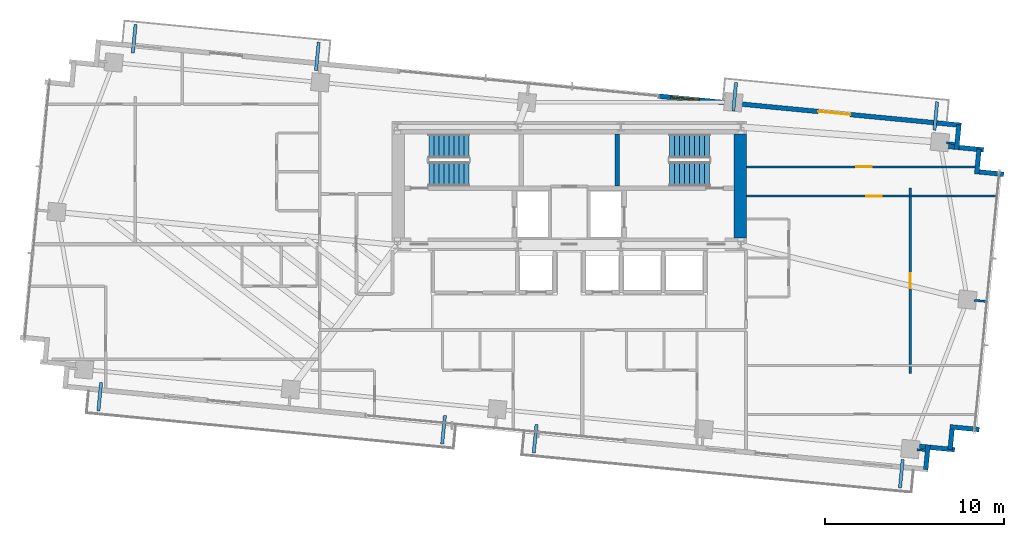
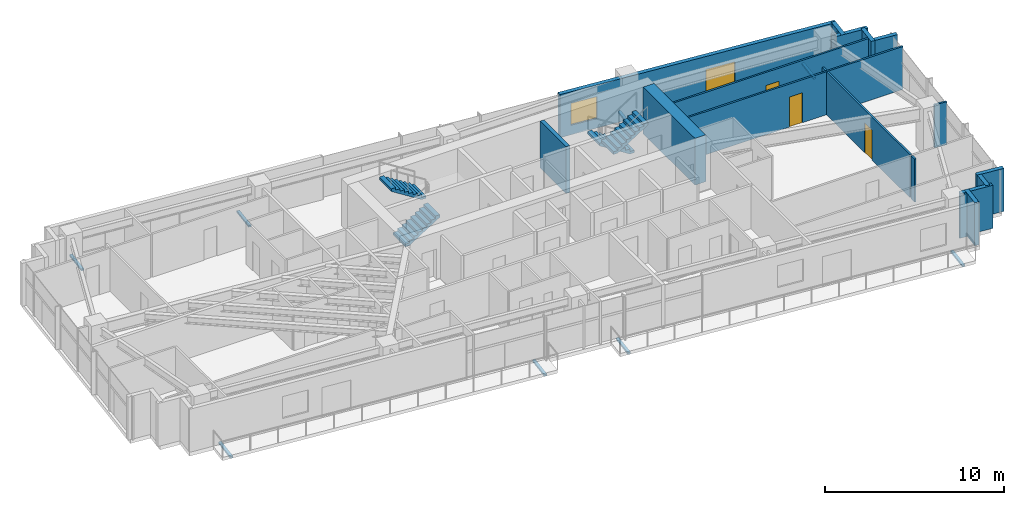
# One storey, part 18 of 20: 19 walls, 8 discrete accessories, 4 doors, 4 stair flights, 1 window, 5 openings, 2 elements without a shape of their own.
"""IFC4 building model written with IfcOpenShell, lengths in metres."""

from ifc_helpers import new_model, si_unit, direction, frame, frame_2d, origin, origin_2d, place, context, subcontext, project, spatial, polyline, rectangle, outline, extrude, source, transform, mapped, material, layer, layer_set, type_object, type_shapes, element, fill, aggregate, save


model = new_model("IFC4")

# Units and contexts
model_context = context("Model", 3, precision=1e-05, world=origin(), true_north=direction((0.0, 1.0)))
body_context = subcontext(model_context, "Body", "Model", "MODEL_VIEW")
ifc_project = project(units=[si_unit("LENGTHUNIT", "METRE"), si_unit("AREAUNIT", "SQUARE_METRE"), si_unit("VOLUMEUNIT", "CUBIC_METRE"), si_unit("PLANEANGLEUNIT", "RADIAN"), si_unit("MASSUNIT", "GRAM", prefix="KILO")], contexts=[model_context])

# Site, building, storey
site_placement = place(None, origin())
site = spatial("IfcSite", under=ifc_project, at=site_placement, CompositionType="ELEMENT")
building_placement = place(site_placement, origin())
building = spatial("IfcBuilding", under=site, at=building_placement, Name="Astriad Promenade Condominiums", CompositionType="ELEMENT")
storey_placement = place(building_placement, frame((0.0, 0.0, 134.199951171875)))
storey = spatial("IfcBuildingStorey", under=building, at=storey_placement, Name="L38", CompositionType="ELEMENT", Elevation=134.199951171875)

# Walls
ifc_material_1 = material(Name="Concrete C60/75", Category="concrete")
ifc_layer_1 = layer(ifc_material_1, 0.699951171875)
ifc_layer_set_1 = layer_set([ifc_layer_1], Name="Concrete C60/75")
wall_type_1 = type_object("IfcWallType", Name="CW-SHEAR-700", PredefinedType="SHEAR", material=ifc_layer_set_1)
wall_1_placement = place(storey_placement, frame((45.550048828125, 17.802001953125, 0.0), z_axis=(0.0, 0.0, 1.0), x_axis=(0.0, 1.0, 0.0)))
element("IfcWall", 1, at=wall_1_placement, inside=storey, type_object=wall_type_1, Name="CW-CORE-E-L38", PredefinedType="SHEAR", context=body_context, shape_type="SweptSolid", body=[
    extrude(rectangle(XDim=5.7958984375, YDim=0.699951171875, at=frame_2d((2.89794921875, 0.0))), origin(), (0.0, 0.0, 1.0), 3.199951171875),
])
ifc_material_2 = material(Name="Concrete C50/60", Category="concrete")
ifc_layer_2 = layer(ifc_material_2, 0.25)
ifc_layer_set_2 = layer_set([ifc_layer_2], Name="Concrete C50/60")
wall_type_2 = type_object("IfcWallType", Name="WALL-CORE-INT-250", PredefinedType="SOLIDWALL", material=ifc_layer_set_2)
wall_2_placement = place(storey_placement, frame((38.675048828125, 20.701904296875, 0.0), z_axis=(0.0, 0.0, 1.0), x_axis=(0.0, 1.0, 0.0)))
element("IfcWall", 2, at=wall_2_placement, inside=storey, type_object=wall_type_2, Name="CW-ST2-W-L38", PredefinedType="SOLIDWALL", context=body_context, shape_type="SweptSolid", body=[
    extrude(rectangle(XDim=2.89599609375, YDim=0.25, at=frame_2d((1.447998046875, 0.0))), origin(), (0.0, 0.0, 1.0), 3.199951171875),
])

# Wall, openings, door, window
ifc_material_3 = material(Name="Precast concrete C50/60", Category="concrete")
ifc_layer_3 = layer(ifc_material_3, 0.260009765625)
ifc_layer_set_3 = layer_set([ifc_layer_3], Name="Precast concrete C50/60")
wall_type_3 = type_object("IfcWallType", Name="WALL-EXT-TWR-260", PredefinedType="STANDARD", material=ifc_layer_set_3)
wall_3_placement = place(storey_placement, frame((40.9833984375, 25.726806640625, 0.0), z_axis=(0.0, 0.0, 1.0), x_axis=(0.995395844771, -0.095849424686, 0.0)))
wall_3 = element("IfcWall", 3, at=wall_3_placement, inside=storey, type_object=wall_type_3, Name="W-EXT-L38-N2", PredefinedType="STANDARD", context=body_context, shape_type="SweptSolid", body=[
    extrude(rectangle(XDim=17.009765625, YDim=0.260009765625, at=frame_2d((8.5048828125, 0.0))), origin(), (0.0, 0.0, 1.0), 2.93994140625),
])
opening_1_placement = place(wall_3_placement, frame((8.97998046875, 0.0, 0.0)))
opening_1 = element("IfcOpeningElement", 4, at=opening_1_placement, cuts=wall_3, Name="Opening BD-1822-SLD", PredefinedType="OPENING", context=body_context, shape_type="SweptSolid", body=[
    extrude(rectangle(XDim=1.800048828125, YDim=2.06005859375, at=frame_2d((0.89990234375, 1.030029296875))), frame((0.0, 0.139892578125, 0.0), z_axis=(0.0, -1.0, 0.0), x_axis=(1.0, 0.0, 0.0)), (0.0, 0.0, 1.0), 0.280029296875),
])
opening_2_placement = place(wall_3_placement, frame((0.699951171875, 0.0, 0.64990234375)))
opening_2 = element("IfcOpeningElement", 5, at=opening_2_placement, cuts=wall_3, Name="Opening WIN-TWR-1620", PredefinedType="OPENING", context=body_context, shape_type="SweptSolid", body=[
    extrude(rectangle(XDim=1.60009765625, YDim=1.5, at=frame_2d((0.800048828125, 0.75))), frame((0.0, 0.139892578125, 0.0), z_axis=(0.0, -1.0, 0.0), x_axis=(1.0, 0.0, 0.0)), (0.0, 0.0, 1.0), 0.280029296875),
])
ifc_material_4 = material(Name="Thermally Broken Aluminium Sliding Balcony Door", Category="aluminium")
door_type_1 = type_object("IfcDoorType", Name="BD-1822-SLD", OperationType="NOTDEFINED", PredefinedType="DOOR", material=ifc_material_4)
shared_shape_1 = source(origin(), body_context, "Body", "SweptSolid", [
    extrude(rectangle(XDim=1.800048828125, YDim=2.06005859375, at=frame_2d((0.89990234375, 1.030029296875))), frame((0.0, 0.02490234375, 0.0), z_axis=(0.0, -1.0, 0.0), x_axis=(1.0, 0.0, 0.0)), (0.0, 0.0, 1.0), 0.050048828125),
])
type_shapes(door_type_1, [shared_shape_1])
door_1_placement = place(opening_1_placement, origin())
door_1 = element("IfcDoor", 6, at=door_1_placement, inside=storey, type_object=door_type_1, Name="BD-L38-NE", OperationType="SLIDING_TO_RIGHT", OverallHeight=2.06005859375, OverallWidth=1.800048828125, PredefinedType="DOOR", context=body_context, shape_type="MappedRepresentation", body=[
    mapped(shared_shape_1, transform((0.0, 0.0, 0.0), scale=1.0)),
])
fill(opening_1, door_1)
ifc_material_5 = material(Name="Dark Tinted Triple-Glazed Aluminium Window", Category="aluminium")
window_type = type_object("IfcWindowType", Name="WIN-TWR-1620", PartitioningType="SINGLE_PANEL", PredefinedType="WINDOW", material=ifc_material_5)
shared_shape_2 = source(origin(), body_context, "Body", "SweptSolid", [
    extrude(rectangle(XDim=1.60009765625, YDim=1.5, at=frame_2d((0.800048828125, 0.75))), frame((0.0, 0.030029296875, 0.0), z_axis=(0.0, -1.0, 0.0), x_axis=(1.0, 0.0, 0.0)), (0.0, 0.0, 1.0), 0.06005859375),
])
type_shapes(window_type, [shared_shape_2])
window_placement = place(opening_2_placement, origin())
window = element("IfcWindow", 7, at=window_placement, inside=storey, type_object=window_type, Name="WIN-L38-NE", OverallHeight=1.5, OverallWidth=1.60009765625, PartitioningType="SINGLE_PANEL", PredefinedType="WINDOW", context=body_context, shape_type="MappedRepresentation", body=[
    mapped(shared_shape_2, transform((0.0, 0.0, 0.0), scale=1.0)),
])
fill(opening_2, window)

# Walls
wall_4_placement = place(storey_placement, frame((57.787109375, 24.123779296875, 0.0), z_axis=(0.0, 0.0, 1.0), x_axis=(-0.095915846097, -0.995389446633, 0.0)))
element("IfcWall", 8, at=wall_4_placement, inside=storey, type_object=wall_type_3, Name="W-SER-L38-09", PredefinedType="STANDARD", context=body_context, shape_type="SweptSolid", body=[
    extrude(rectangle(XDim=1.394775390625, YDim=0.260009765625, at=frame_2d((0.697265625, 0.0))), origin(), (0.0, 0.0, 1.0), 2.93994140625),
])
wall_5_placement = place(storey_placement, frame((57.199951171875, 22.909423828125, 0.0), z_axis=(0.0, 0.0, 1.0), x_axis=(0.995401789159, -0.095787672171, 0.0)))
element("IfcWall", 9, at=wall_5_placement, inside=storey, type_object=wall_type_3, Name="W-SER-L38-10", PredefinedType="STANDARD", context=body_context, shape_type="SweptSolid", body=[
    extrude(rectangle(XDim=1.977783203125, YDim=0.260009765625, at=frame_2d((0.98876953125, 0.0))), origin(), (0.0, 0.0, 1.0), 2.93994140625),
])
for number, where, z_axis, x_axis, name in (
    (10, (58.91162109375, 22.759765625, 0.0), (0.0, 0.0, 1.0), (-0.096072523012, -0.995374336781, 0.0), "W-SER-L38-11"),
    (11, (58.904541015625, 21.489501953125, 0.0), (0.0, 0.0, 1.0), (0.995391056452, -0.09589913835, 0.0), "W-SER-L38-12"),
):
    element("IfcWall", number, at=place(storey_placement, frame(where, z_axis=z_axis, x_axis=x_axis)), inside=storey, type_object=wall_type_3, Name=name, PredefinedType="STANDARD", context=body_context, shape_type="SweptSolid", body=[
        extrude(rectangle(XDim=1.39501953125, YDim=0.260009765625, at=frame_2d((0.697509765625, 0.0))), origin(), (0.0, 0.0, 1.0), 2.93994140625),
    ])
wall_6_placement = place(storey_placement, frame((58.918701171875, 7.081787109375, 0.0), z_axis=(0.0, 0.0, 1.0), x_axis=(-0.995393194909, 0.095876939504, 0.0)))
element("IfcWall", 12, at=wall_6_placement, inside=storey, type_object=wall_type_3, Name="W-SER-L38-14", PredefinedType="STANDARD", context=body_context, shape_type="SweptSolid", body=[
    extrude(rectangle(XDim=1.639892578125, YDim=0.260009765625, at=frame_2d((0.81982421875, 0.0))), origin(), (0.0, 0.0, 1.0), 2.93994140625),
])
wall_7_placement = place(storey_placement, frame((57.40478515625, 7.112060546875, 0.0), z_axis=(0.0, 0.0, 1.0), x_axis=(-0.095971333708, -0.995384098279, 0.0)))
element("IfcWall", 13, at=wall_7_placement, inside=storey, type_object=wall_type_3, Name="W-SER-L38-15", PredefinedType="STANDARD", context=body_context, shape_type="SweptSolid", body=[
    extrude(rectangle(XDim=1.14990234375, YDim=0.260009765625, at=frame_2d((0.574951171875, 0.0))), origin(), (0.0, 0.0, 1.0), 2.93994140625),
])
wall_8_placement = place(storey_placement, frame((57.5546875, 5.95751953125, 0.0), z_axis=(0.0, 0.0, 1.0), x_axis=(-0.995401789159, 0.095787672171, 0.0)))
element("IfcWall", 14, at=wall_8_placement, inside=storey, type_object=wall_type_3, Name="W-SER-L38-16", PredefinedType="STANDARD", context=body_context, shape_type="SweptSolid", body=[
    extrude(rectangle(XDim=1.977783203125, YDim=0.260009765625, at=frame_2d((0.98876953125, 0.0))), origin(), (0.0, 0.0, 1.0), 2.93994140625),
])
wall_9_placement = place(storey_placement, frame((56.064208984375, 6.231689453125, 0.0), z_axis=(0.0, 0.0, 1.0), x_axis=(-0.09589913835, -0.995391056452, 0.0)))
element("IfcWall", 15, at=wall_9_placement, inside=storey, type_object=wall_type_3, Name="W-SER-L38-17", PredefinedType="STANDARD", context=body_context, shape_type="SweptSolid", body=[
    extrude(rectangle(XDim=1.39501953125, YDim=0.260009765625, at=frame_2d((0.697509765625, 0.0))), origin(), (0.0, 0.0, 1.0), 2.93994140625),
])

# Wall, opening, door
ifc_material_6 = material(Name="Acoustic Metal-Stud Gypsum Partition")
ifc_layer_4 = layer(ifc_material_6, 0.1201171875)
ifc_layer_set_4 = layer_set([ifc_layer_4], Name="Acoustic Metal-Stud Gypsum Partition")
wall_type_4 = type_object("IfcWallType", Name="WALL-PART-120", PredefinedType="PARTITIONING", material=ifc_layer_set_4)
wall_10_placement = place(storey_placement, frame((45.902099609375, 21.76806640625, 0.0), z_axis=(0.0, 0.0, 1.0), x_axis=(1.0, 0.0, 0.0)))
wall_10 = element("IfcWall", 16, at=wall_10_placement, inside=storey, type_object=wall_type_4, Name="PT-L38-E1-B1", PredefinedType="PARTITIONING", context=body_context, shape_type="SweptSolid", body=[
    extrude(rectangle(XDim=12.78125, YDim=0.1201171875, at=frame_2d((6.390625, 0.0))), origin(), (0.0, 0.0, 1.0), 2.93994140625),
])
opening_3_placement = place(wall_10_placement, frame((6.14599609375, 0.0, 0.0)))
opening_3 = element("IfcOpeningElement", 17, at=opening_3_placement, cuts=wall_10, Name="Opening D-INT-085", PredefinedType="OPENING", context=body_context, shape_type="SweptSolid", body=[
    extrude(rectangle(XDim=0.85009765625, YDim=2.050048828125, at=frame_2d((0.425048828125, 1.02490234375))), frame((0.0, 0.070068359375, 0.0), z_axis=(0.0, -1.0, 0.0), x_axis=(1.0, 0.0, 0.0)), (0.0, 0.0, 1.0), 0.14013671875),
])
ifc_material_7 = material(Name="Painted Solid-Core Timber Room Door", Category="wood")
door_type_2 = type_object("IfcDoorType", Name="D-INT-085", OperationType="NOTDEFINED", PredefinedType="DOOR", material=ifc_material_7)
shared_shape_3 = source(origin(), body_context, "Body", "SweptSolid", [
    extrude(rectangle(XDim=0.85009765625, YDim=2.050048828125, at=frame_2d((0.425048828125, 1.02490234375))), frame((0.0, 0.02490234375, 0.0), z_axis=(0.0, -1.0, 0.0), x_axis=(1.0, 0.0, 0.0)), (0.0, 0.0, 1.0), 0.050048828125),
])
type_shapes(door_type_2, [shared_shape_3])
door_2_placement = place(opening_3_placement, origin())
door_2 = element("IfcDoor", 18, at=door_2_placement, inside=storey, type_object=door_type_2, Name="D-BD1-L38-E1", OperationType="SINGLE_SWING_LEFT", OverallHeight=2.050048828125, OverallWidth=0.85009765625, PredefinedType="DOOR", context=body_context, shape_type="MappedRepresentation", body=[
    mapped(shared_shape_3, transform((0.0, 0.0, 0.0), scale=1.0)),
])
fill(opening_3, door_2)

wall_11_placement = place(storey_placement, frame((45.902099609375, 20.135986328125, 0.0), z_axis=(0.0, 0.0, 1.0), x_axis=(1.0, 0.0, 0.0)))
wall_11 = element("IfcWall", 19, at=wall_11_placement, inside=storey, type_object=wall_type_4, Name="PT-L38-E1-WDN2", PredefinedType="PARTITIONING", context=body_context, shape_type="SweptSolid", body=[
    extrude(rectangle(XDim=14.062744140625, YDim=0.1201171875, at=frame_2d((7.03125, 0.0))), origin(), (0.0, 0.0, 1.0), 2.93994140625),
])
opening_4_placement = place(wall_11_placement, frame((6.7080078125, 0.0, 0.0)))
opening_4 = element("IfcOpeningElement", 20, at=opening_4_placement, cuts=wall_11, Name="Opening D-INT-085", PredefinedType="OPENING", context=body_context, shape_type="SweptSolid", body=[
    extrude(rectangle(XDim=0.85009765625, YDim=2.050048828125, at=frame_2d((0.425048828125, 1.02490234375))), frame((0.0, 0.070068359375, 0.0), z_axis=(0.0, -1.0, 0.0), x_axis=(1.0, 0.0, 0.0)), (0.0, 0.0, 1.0), 0.14013671875),
])
door_3_placement = place(opening_4_placement, origin())
door_3 = element("IfcDoor", 21, at=door_3_placement, inside=storey, type_object=door_type_2, Name="D-WDN2-L38-E1", OperationType="SINGLE_SWING_RIGHT", OverallHeight=2.050048828125, OverallWidth=0.85009765625, PredefinedType="DOOR", context=body_context, shape_type="MappedRepresentation", body=[
    mapped(shared_shape_3, transform((0.0, 0.0, 0.0), scale=1.0)),
])
fill(opening_4, door_3)

# Wall
wall_12_placement = place(storey_placement, frame((55.06494140625, 10.22412109375, 0.0), z_axis=(0.0, 0.0, 1.0), x_axis=(0.0, 1.0, 0.0)))
element("IfcWall", 22, at=wall_12_placement, inside=storey, type_object=wall_type_4, Name="PT-L38-E1-WDV3", PredefinedType="PARTITIONING", context=body_context, shape_type="SweptSolid", body=[
    extrude(rectangle(XDim=0.3779296875, YDim=0.1201171875, at=frame_2d((0.18896484375, 0.0))), origin(), (0.0, 0.0, 1.0), 2.93994140625),
])

# Wall, opening, door
wall_13_placement = place(storey_placement, frame((55.06494140625, 10.72607421875, 0.0), z_axis=(0.0, 0.0, 1.0), x_axis=(0.0, 1.0, 0.0)))
wall_13 = element("IfcWall", 23, at=wall_13_placement, inside=storey, type_object=wall_type_4, Name="PT-L38-E1-WDV3-S2", PredefinedType="PARTITIONING", context=body_context, shape_type="SweptSolid", body=[
    extrude(rectangle(XDim=9.347900390625, YDim=0.1201171875, at=frame_2d((4.673828125, 0.0))), origin(), (0.0, 0.0, 1.0), 2.93994140625),
])
opening_5_placement = place(wall_13_placement, frame((4.2490234375, 0.0, 0.0)))
opening_5 = element("IfcOpeningElement", 24, at=opening_5_placement, cuts=wall_13, Name="Opening D-INT-085", PredefinedType="OPENING", context=body_context, shape_type="SweptSolid", body=[
    extrude(rectangle(XDim=0.85009765625, YDim=2.050048828125, at=frame_2d((0.425048828125, 1.02490234375))), frame((0.0, 0.070068359375, 0.0), z_axis=(0.0, -1.0, 0.0), x_axis=(1.0, 0.0, 0.0)), (0.0, 0.0, 1.0), 0.14013671875),
])
door_4_placement = place(opening_5_placement, origin())
door_4 = element("IfcDoor", 25, at=door_4_placement, inside=storey, type_object=door_type_2, Name="D-WDV3-L38-E1", OperationType="SINGLE_SWING_LEFT", OverallHeight=2.050048828125, OverallWidth=0.85009765625, PredefinedType="DOOR", context=body_context, shape_type="MappedRepresentation", body=[
    mapped(shared_shape_3, transform((0.0, 0.0, 0.0), scale=1.0)),
])
fill(opening_5, door_4)

# Walls
wall_14_placement = place(storey_placement, frame((55.06494140625, 20.197998046875, 0.0), z_axis=(0.0, 0.0, 1.0), x_axis=(0.0, 1.0, 0.0)))
element("IfcWall", 26, at=wall_14_placement, inside=storey, type_object=wall_type_4, Name="PT-L38-E1-WDV3-S3", PredefinedType="PARTITIONING", context=body_context, shape_type="SweptSolid", body=[
    extrude(rectangle(XDim=0.3779296875, YDim=0.1201171875, at=frame_2d((0.18896484375, 0.0))), origin(), (0.0, 0.0, 1.0), 2.93994140625),
])
for number, where, z_axis, x_axis, name in (
    (27, (55.4453125, 5.959716796875, 0.0), (0.0, 0.0, 1.0), (0.995384576284, -0.09596637586, 0.0), "PT-PIL-L38-PC05-12"),
    (28, (57.09765625, 23.120361328125, 0.0), (0.0, 0.0, 1.0), (0.995384576284, -0.09596637586, 0.0), "PT-PIL-L38-PC10-17"),
):
    element("IfcWall", number, at=place(storey_placement, frame(where, z_axis=z_axis, x_axis=x_axis)), inside=storey, type_object=wall_type_4, Name=name, PredefinedType="PARTITIONING", context=body_context, shape_type="SweptSolid", body=[
        extrude(rectangle(XDim=0.4580078125, YDim=0.1201171875, at=frame_2d((0.22900390625, 0.0))), origin(), (0.0, 0.0, 1.0), 2.93994140625),
    ])
wall_15_placement = place(storey_placement, frame((58.640380859375, 14.31201171875, 0.0), z_axis=(0.0, 0.0, 1.0), x_axis=(0.995377786728, -0.096036772582, 0.0)))
element("IfcWall", 29, at=wall_15_placement, inside=storey, type_object=wall_type_4, Name="PT-PIL-L38-PC12-19", PredefinedType="PARTITIONING", context=body_context, shape_type="SweptSolid", body=[
    extrude(rectangle(XDim=0.760009765625, YDim=0.1201171875, at=frame_2d((0.3798828125, 0.0))), origin(), (0.0, 0.0, 1.0), 2.93994140625),
])

# Stair, stair flights
stair_type = type_object("IfcStairType", Name="STR-CORE-1350", PredefinedType="HALF_TURN_STAIR", material=ifc_material_2)
stair_1_placement = place(storey_placement, origin())
stair_1 = element("IfcStair", 30, at=stair_1_placement, inside=storey, type_object=stair_type, Name="L38 Enclosed Core Exit Stair ST-1", PredefinedType="HALF_TURN_STAIR")
stair_flight_type = type_object("IfcStairFlightType", Name="SFL-CORE-1350", PredefinedType="STRAIGHT", material=ifc_material_2)
shared_shape_4 = source(origin(), body_context, "Body", "SweptSolid", [
    extrude(outline(polyline([(0.0, 0.0), (0.0, 0.177734375), (0.280029296875, 0.177734375), (0.280029296875, 0.35546875), (0.56005859375, 0.35546875), (0.56005859375, 0.533447265625), (0.840087890625, 0.533447265625), (0.840087890625, 0.711181640625), (1.1201171875, 0.711181640625), (1.1201171875, 0.888916015625), (1.39990234375, 0.888916015625), (1.39990234375, 1.066650390625), (1.679931640625, 1.066650390625), (1.679931640625, 1.244384765625), (1.9599609375, 1.244384765625), (1.9599609375, 1.422119140625), (2.239990234375, 1.422119140625), (2.239990234375, 1.60009765625), (2.239990234375, 1.24462890625), (0.27978515625, 0.0), (0.0, 0.0)])), frame((0.0, 0.675048828125, 0.0), z_axis=(0.0, -1.0, 0.0), x_axis=(1.0, 0.0, 0.0)), (0.0, 0.0, 1.0), 1.35009765625),
])
type_shapes(stair_flight_type, [shared_shape_4])
stair_flight_1_placement = place(storey_placement, frame((28.14990234375, 21.375, 0.0), z_axis=(0.0, 0.0, 1.0), x_axis=(1.0, 0.0, 0.0)))
stair_flight_1 = element("IfcStairFlight", 31, at=stair_flight_1_placement, type_object=stair_flight_type, Name="ST-1 flight 1", NumberOfRisers=9, NumberOfTreads=8, PredefinedType="STRAIGHT", RiserHeight=0.177777778, TreadLength=0.28, context=body_context, shape_type="MappedRepresentation", body=[
    mapped(shared_shape_4, transform((0.0, 0.0, 0.0), scale=1.0)),
])
stair_flight_2_placement = place(storey_placement, frame((30.389892578125, 22.925048828125, 1.60009765625), z_axis=(0.0, 0.0, 1.0), x_axis=(-1.0, 0.0, 0.0)))
stair_flight_2 = element("IfcStairFlight", 32, at=stair_flight_2_placement, type_object=stair_flight_type, Name="ST-1 flight 2", NumberOfRisers=9, NumberOfTreads=8, PredefinedType="STRAIGHT", RiserHeight=0.177777778, TreadLength=0.28, context=body_context, shape_type="MappedRepresentation", body=[
    mapped(shared_shape_4, transform((0.0, 0.0, 0.0), scale=1.0)),
])
aggregate(stair_1, [stair_flight_1, stair_flight_2])

stair_2_placement = place(storey_placement, origin())
stair_2 = element("IfcStair", 33, at=stair_2_placement, inside=storey, type_object=stair_type, Name="L38 Enclosed Core Exit Stair ST-2", PredefinedType="HALF_TURN_STAIR")
stair_flight_3_placement = place(storey_placement, frame((43.85009765625, 22.925048828125, 0.0), z_axis=(0.0, 0.0, 1.0), x_axis=(-1.0, 0.0, 0.0)))
stair_flight_3 = element("IfcStairFlight", 34, at=stair_flight_3_placement, type_object=stair_flight_type, Name="ST-2 flight 1", NumberOfRisers=9, NumberOfTreads=8, PredefinedType="STRAIGHT", RiserHeight=0.177777778, TreadLength=0.28, context=body_context, shape_type="MappedRepresentation", body=[
    mapped(shared_shape_4, transform((0.0, 0.0, 0.0), scale=1.0)),
])
stair_flight_4_placement = place(storey_placement, frame((41.610107421875, 21.375, 1.60009765625), z_axis=(0.0, 0.0, 1.0), x_axis=(1.0, 0.0, 0.0)))
stair_flight_4 = element("IfcStairFlight", 35, at=stair_flight_4_placement, type_object=stair_flight_type, Name="ST-2 flight 2", NumberOfRisers=9, NumberOfTreads=8, PredefinedType="STRAIGHT", RiserHeight=0.177777778, TreadLength=0.28, context=body_context, shape_type="MappedRepresentation", body=[
    mapped(shared_shape_4, transform((0.0, 0.0, 0.0), scale=1.0)),
])
aggregate(stair_2, [stair_flight_3, stair_flight_4])

# Discrete accessories
ifc_material_8 = material(Name="Steel ASTM A572 Grade 50", Category="steel")
discrete_accessory_type = type_object("IfcDiscreteAccessoryType", Name="STEEL BALCONY OUTRIGGER BRACKET", PredefinedType="BRACKET", material=ifc_material_8)
shared_shape_5 = source(origin(), body_context, "Body", "SweptSolid", [
    extrude(rectangle(XDim=1.60009765625, YDim=0.179931640625, at=origin_2d()), origin(), (0.0, 0.0, 1.0), 0.1220703125),
])
type_shapes(discrete_accessory_type, [shared_shape_5])
for number, where, z_axis, x_axis, name in (
    (36, (9.7529296875, 8.922607421875, -0.340087890625), (0.0, 0.0, 1.0), (-0.09584575252, -0.995396198367, 0.0), "Balcony Outrigger Bracket BAL-L38-SW-A"),
    (37, (28.972900390625, 7.072021484375, -0.340087890625), (0.0, 0.0, 1.0), (-0.09584575252, -0.995396198367, 0.0), "Balcony Outrigger Bracket BAL-L38-SW-B"),
    (38, (34.09423828125, 6.578857421875, -0.340087890625), (0.0, 0.0, 1.0), (-0.09584575252, -0.995396198367, 0.0), "Balcony Outrigger Bracket BAL-L38-SE-A"),
    (39, (54.565673828125, 4.607666015625, -0.340087890625), (0.0, 0.0, 1.0), (-0.09584575252, -0.995396198367, 0.0), "Balcony Outrigger Bracket BAL-L38-SE-B"),
    (40, (11.679443359375, 28.93017578125, -0.340087890625), (0.0, 0.0, 1.0), (0.09584575252, 0.995396198367, 0.0), "Balcony Outrigger Bracket BAL-L38-NW-A"),
    (41, (21.91796875, 27.9443359375, -0.340087890625), (0.0, 0.0, 1.0), (0.09584575252, 0.995396198367, 0.0), "Balcony Outrigger Bracket BAL-L38-NW-B"),
    (42, (45.25, 25.69775390625, -0.340087890625), (0.0, 0.0, 1.0), (0.09584575252, 0.995396198367, 0.0), "Balcony Outrigger Bracket BAL-L38-NE-A"),
    (43, (56.4921875, 24.615234375, -0.340087890625), (0.0, 0.0, 1.0), (0.09584575252, 0.995396198367, 0.0), "Balcony Outrigger Bracket BAL-L38-NE-B"),
):
    element("IfcDiscreteAccessory", number, at=place(storey_placement, frame(where, z_axis=z_axis, x_axis=x_axis)), inside=storey, type_object=discrete_accessory_type, Name=name, PredefinedType="BRACKET", context=body_context, shape_type="MappedRepresentation", body=[
        mapped(shared_shape_5, transform((0.0, 0.0, 0.0), scale=1.0)),
    ])

save(model, "model.ifc")
